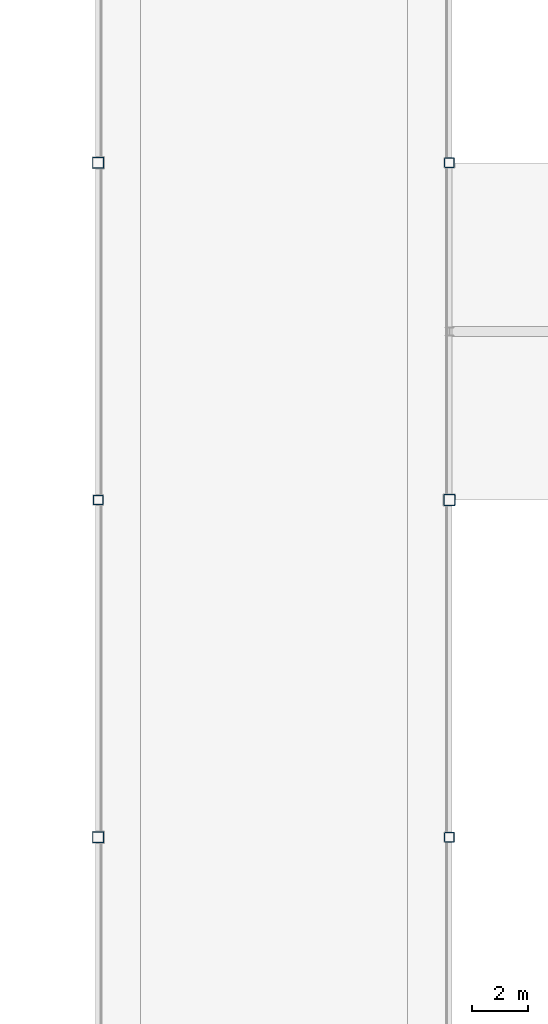
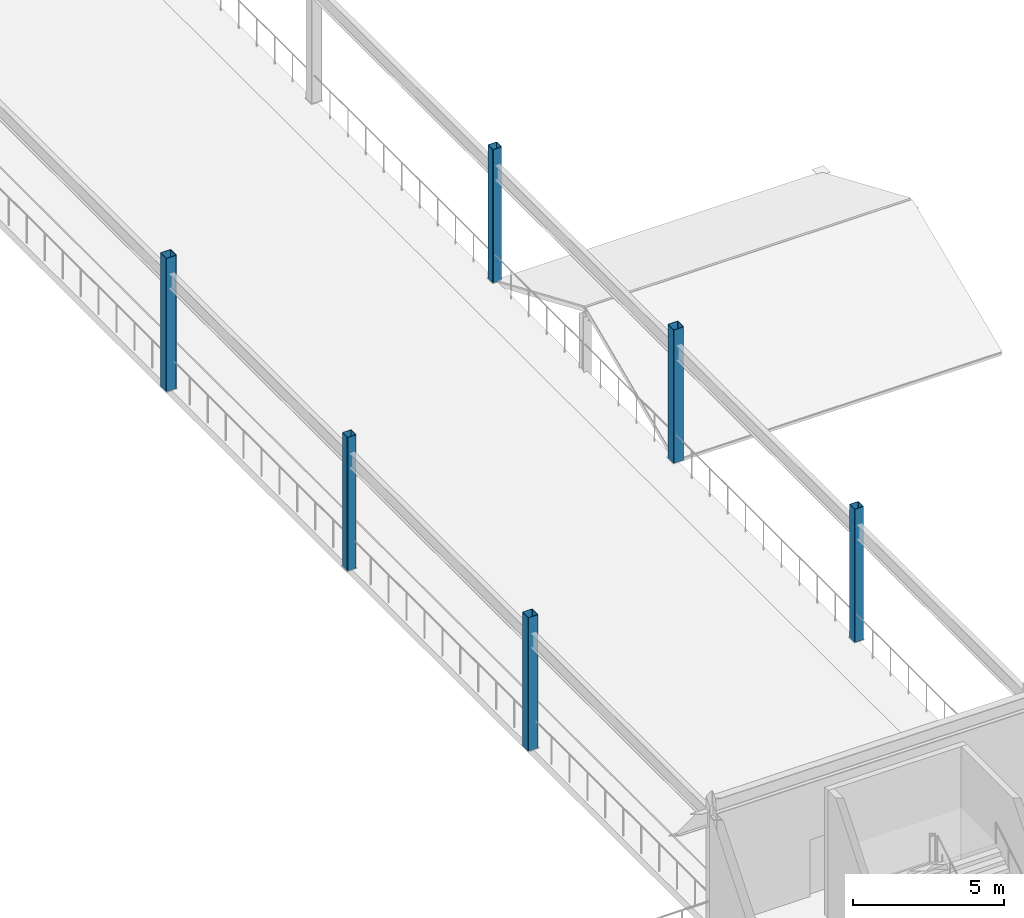
# One storey, part 14 of 105: 6 columns.
"""IFC4 building model written with IfcOpenShell, lengths in metres."""

from ifc_helpers import new_model, si_unit, direction, frame, origin, origin_2d, place, context, subcontext, project, spatial, hollow_rectangle, extrude, material, material_profile, profile_set, type_object, element, save


model = new_model("IFC4")

# Units and contexts
model_context = context("Model", 3, precision=1e-05, world=origin(), true_north=direction((0.0, 1.0)))
body_context = subcontext(model_context, "Body", "Model", "MODEL_VIEW")
ifc_project = project(units=[si_unit("LENGTHUNIT", "METRE"), si_unit("AREAUNIT", "SQUARE_METRE"), si_unit("VOLUMEUNIT", "CUBIC_METRE"), si_unit("PLANEANGLEUNIT", "RADIAN"), si_unit("MASSUNIT", "GRAM", prefix="KILO")], contexts=[model_context])

# Site, building, storey
site_placement = place(None, origin())
site = spatial("IfcSite", under=ifc_project, at=site_placement, CompositionType="ELEMENT")
building_placement = place(site_placement, origin())
building = spatial("IfcBuilding", under=site, at=building_placement, Name="Kazenohara Klinker Stadium", CompositionType="ELEMENT")
storey_placement = place(building_placement, frame((0.0, 0.0, 20.39990234375)))
storey = spatial("IfcBuildingStorey", under=building, at=storey_placement, Name="L04", CompositionType="ELEMENT", Elevation=20.39990234375)

# Columns
ifc_material = material(Name="Steel S355", Category="steel")
ifc_material_profile_1 = material_profile(ifc_material, hollow_rectangle(XDim=0.39990234375, YDim=0.39990234375, WallThickness=0.01611328125, InnerFilletRadius=0.01611328125, OuterFilletRadius=0.031982421875, at=origin_2d()), Name="SHS-400x400x16")
ifc_profile_set_1 = profile_set([ifc_material_profile_1], Name="Steel S355")
column_type_1 = type_object("IfcColumnType", Name="COL-ST01", PredefinedType="COLUMN", material=ifc_profile_set_1)
for number, where, z_axis, x_axis, name in (
    (1, (175.0, 48.0, 0.0), (0.0, 0.0, 1.0), (1.0, 0.0, 0.0), "Canopy ring support column SC01 L04 15/E"),
    (2, (175.0, 72.0, 0.0), (0.0, 0.0, 1.0), (1.0, 0.0, 0.0), "Canopy ring support column SC01 L04 15/G"),
    (3, (187.5, 60.0, 0.0), (0.0, 0.0, 1.0), (1.0, 0.0, 0.0), "Canopy ring support column SC01 L04 16/F"),
):
    element("IfcColumn", number, at=place(storey_placement, frame(where, z_axis=z_axis, x_axis=x_axis)), inside=storey, type_object=column_type_1, Name=name, PredefinedType="COLUMN", context=body_context, shape_type="SweptSolid", body=[
        extrude(hollow_rectangle(XDim=0.39990234375, YDim=0.39990234375, WallThickness=0.01611328125, InnerFilletRadius=0.01611328125, OuterFilletRadius=0.031982421875, at=origin_2d()), origin(), (0.0, 0.0, 1.0), 5.400146484375),
    ])
ifc_material_profile_2 = material_profile(ifc_material, hollow_rectangle(XDim=0.35009765625, YDim=0.35009765625, WallThickness=0.01611328125, InnerFilletRadius=0.01611328125, OuterFilletRadius=0.031982421875, at=origin_2d()), Name="SHS-350x350x16")
ifc_profile_set_2 = profile_set([ifc_material_profile_2], Name="Steel S355")
column_type_2 = type_object("IfcColumnType", Name="COL-ST02", PredefinedType="COLUMN", material=ifc_profile_set_2)
for number, where, z_axis, x_axis, name in (
    (4, (175.0, 60.0, 0.0), (0.0, 0.0, 1.0), (1.0, 0.0, 0.0), "Canopy ring support column SC02 L04 15/F"),
    (5, (187.5, 48.0, 0.0), (0.0, 0.0, 1.0), (1.0, 0.0, 0.0), "Canopy ring support column SC02 L04 16/E"),
    (6, (187.5, 72.0, 0.0), (0.0, 0.0, 1.0), (1.0, 0.0, 0.0), "Canopy ring support column SC02 L04 16/G"),
):
    element("IfcColumn", number, at=place(storey_placement, frame(where, z_axis=z_axis, x_axis=x_axis)), inside=storey, type_object=column_type_2, Name=name, PredefinedType="COLUMN", context=body_context, shape_type="SweptSolid", body=[
        extrude(hollow_rectangle(XDim=0.35009765625, YDim=0.35009765625, WallThickness=0.01611328125, InnerFilletRadius=0.01611328125, OuterFilletRadius=0.031982421875, at=origin_2d()), origin(), (0.0, 0.0, 1.0), 5.400146484375),
    ])

save(model, "model.ifc")
